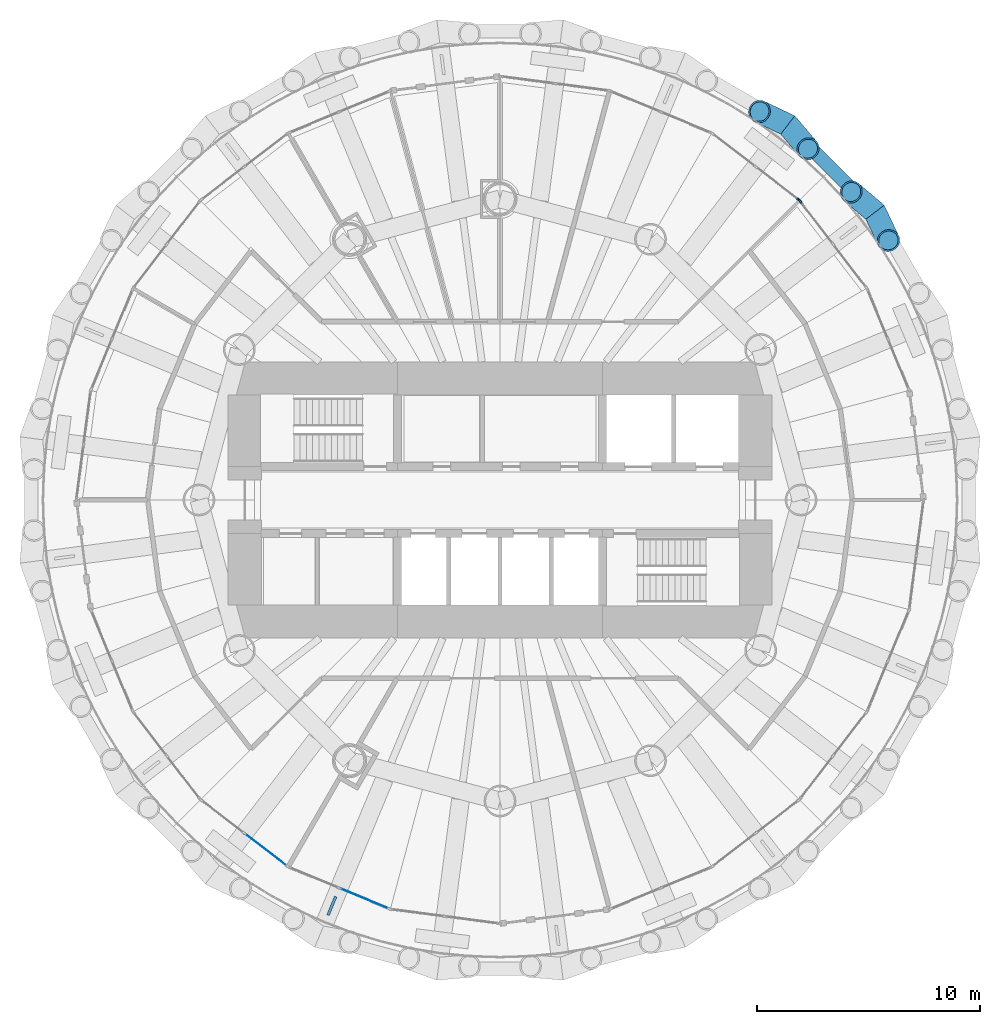
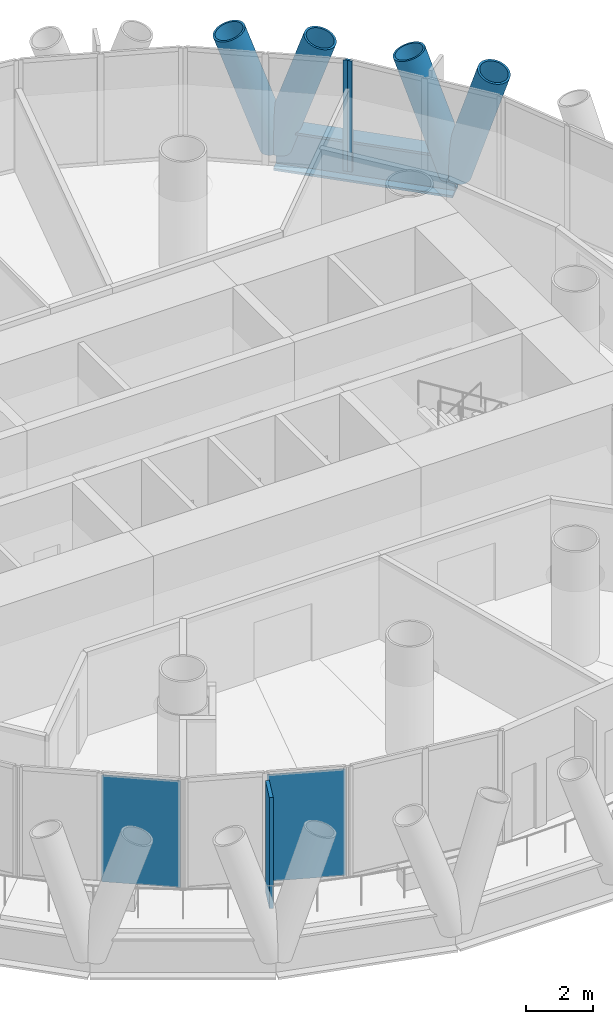
# One storey, part 7 of 16: 6 members, 3 plates, 1 beam, 4 elements without a shape of their own.
"""IFC4 building model written with IfcOpenShell, lengths in metres."""

from ifc_helpers import new_model, si_unit, direction, frame, origin, origin_2d, place, context, subcontext, project, spatial, rectangle, hollow_circle, i_section, extrude, material, layer, layer_set, material_profile, profile_set, type_object, element, aggregate, save


model = new_model("IFC4")

# Units and contexts
model_context = context("Model", 3, precision=1e-05, world=origin(), true_north=direction((0.0, 1.0)))
body_context = subcontext(model_context, "Body", "Model", "MODEL_VIEW")
ifc_project = project(units=[si_unit("LENGTHUNIT", "METRE"), si_unit("AREAUNIT", "SQUARE_METRE"), si_unit("VOLUMEUNIT", "CUBIC_METRE"), si_unit("PLANEANGLEUNIT", "RADIAN"), si_unit("MASSUNIT", "GRAM", prefix="KILO")], contexts=[model_context])

# Site, building, storey
site_placement = place(None, origin())
site = spatial("IfcSite", under=ifc_project, at=site_placement, CompositionType="ELEMENT")
building_placement = place(site_placement, origin())
building = spatial("IfcBuilding", under=site, at=building_placement, Name="Qaws Media Tower", CompositionType="ELEMENT")
storey_placement = place(building_placement, frame((0.0, 0.0, 269.60009765625)))
storey = spatial("IfcBuildingStorey", under=building, at=storey_placement, Name="L62", CompositionType="ELEMENT", Elevation=269.60009765625)

# Curtain wall, member
ifc_material_1 = material(Name="Aluminium and clear glass", Category="aluminium")
curtain_wall_type = type_object("IfcCurtainWallType", Name="Unitised curtain wall CW-D", PredefinedType="NOTDEFINED", material=ifc_material_1)
curtain_wall_1_placement = place(storey_placement, origin())
curtain_wall_1 = element("IfcCurtainWall", 1, at=curtain_wall_1_placement, inside=storey, type_object=curtain_wall_type, Name="CWD curtain wall L62-03", PredefinedType="NOTDEFINED")
ifc_material_2 = material(Name="Aluminium mullion", Category="aluminium")
ifc_material_profile_1 = material_profile(ifc_material_2, rectangle(XDim=0.080078125, YDim=0.199951171875, at=origin_2d()), Name="80x200")
ifc_profile_set_1 = profile_set([ifc_material_profile_1], Name="Aluminium mullion")
member_type_1 = type_object("IfcMemberType", Name="Curtain wall mullion 80x200", PredefinedType="MULLION", material=ifc_profile_set_1)
member_1_placement = place(storey_placement, frame((73.45947265625, 63.4033203125, 0.0), z_axis=(0.0, 0.0, 1.0), x_axis=(-0.793353335436, -0.608761435337, 0.0)))
member_1 = element("IfcMember", 2, at=member_1_placement, type_object=member_type_1, Name="CWD mullion 3", PredefinedType="MULLION", context=body_context, shape_type="SweptSolid", body=[
    extrude(rectangle(XDim=0.080078125, YDim=0.199951171875, at=origin_2d()), origin(), (0.0, 0.0, 1.0), 4.039794921875),
])
aggregate(curtain_wall_1, [member_1])

curtain_wall_2_placement = place(storey_placement, origin())
curtain_wall_2 = element("IfcCurtainWall", 3, at=curtain_wall_2_placement, inside=storey, type_object=curtain_wall_type, Name="CWD curtain wall L62-04", PredefinedType="NOTDEFINED")
member_2_placement = place(storey_placement, frame((73.4033203125, 63.45947265625, 0.0), z_axis=(0.0, 0.0, 1.0), x_axis=(-0.608761435337, -0.793353335436, 0.0)))
member_2 = element("IfcMember", 4, at=member_2_placement, type_object=member_type_1, Name="CWD mullion 1", PredefinedType="MULLION", context=body_context, shape_type="SweptSolid", body=[
    extrude(rectangle(XDim=0.080078125, YDim=0.199951171875, at=origin_2d()), origin(), (0.0, 0.0, 1.0), 4.039794921875),
])
aggregate(curtain_wall_2, [member_2])

# Members
ifc_material_3 = material(Name="Steel S460", Category="steel")
ifc_material_profile_2 = material_profile(ifc_material_3, hollow_circle(Radius=0.508056640625, WallThickness=0.070068359375, at=origin_2d()), Name="CHS 1016x70")
ifc_profile_set_2 = profile_set([ifc_material_profile_2], Name="Steel S460")
member_type_2 = type_object("IfcMemberType", Name="Diagrid member CHS 1016x70", PredefinedType="USERDEFINED", material=ifc_profile_set_2)
for number, where, z_axis, x_axis, name in (
    (5, (76.819091796875, 62.90576171875, -0.91015625), (-0.241238251178, 0.2049560182, 0.948576373716), (-0.647471429686, -0.762089724206, 0.0), "DG3 diagrid L62 A03"),
    (6, (76.819091796875, 62.90576171875, -0.91015625), (0.135534460852, -0.286067039423, 0.948575805551), (0.903702367057, 0.428161221709, 0.0), "DG3 diagrid L62 B03"),
    (7, (72.90576171875, 66.819091796875, -0.91015625), (-0.286067039423, 0.135534460852, 0.948575805551), (-0.428161221709, -0.903702367057, 0.0), "DG3 diagrid L62 A04"),
    (8, (72.90576171875, 66.819091796875, -0.91015625), (0.2049560182, -0.241238251178, 0.948576373716), (0.762089724206, 0.647471429686, 0.0), "DG3 diagrid L62 B04"),
):
    element("IfcMember", number, at=place(storey_placement, frame(where, z_axis=z_axis, x_axis=x_axis)), inside=storey, type_object=member_type_2, Name=name, ObjectType="DIAGRID", PredefinedType="USERDEFINED", context=body_context, shape_type="SweptSolid", body=[
        extrude(hollow_circle(Radius=0.508056640625, WallThickness=0.070068359375, at=origin_2d()), origin(), (0.0, 0.0, 1.0), 4.427734375),
    ])

# Beam
ifc_material_4 = material(Name="Steel S460", Category="steel")
ifc_material_profile_3 = material_profile(ifc_material_4, i_section(OverallWidth=0.60009765625, OverallDepth=1.5, WebThickness=0.030029296875, FlangeThickness=0.080078125, at=origin_2d()), Name="PG 1500x600")
ifc_profile_set_3 = profile_set([ifc_material_profile_3], Name="Steel S460")
beam_type = type_object("IfcBeamType", Name="Edge ring beam PG 1500x600", PredefinedType="BEAM", material=ifc_profile_set_3)
beam_placement = place(storey_placement, frame((76.819091796875, 62.90576171875, -0.91015625), z_axis=(-0.707106781187, 0.707106781187, 0.0), x_axis=(-0.707106781187, -0.707106781187, 0.0)))
element("IfcBeam", 9, at=beam_placement, inside=storey, type_object=beam_type, Name="RB5 edge ring beam L62-03", PredefinedType="BEAM", context=body_context, shape_type="SweptSolid", body=[
    extrude(i_section(OverallWidth=0.60009765625, OverallDepth=1.5, WebThickness=0.030029296875, FlangeThickness=0.080078125, at=origin_2d()), origin(), (0.0, 0.0, 1.0), 5.5341796875),
])

# Curtain wall, plate
curtain_wall_3_placement = place(storey_placement, origin())
curtain_wall_3 = element("IfcCurtainWall", 10, at=curtain_wall_3_placement, inside=storey, type_object=curtain_wall_type, Name="CWD curtain wall L62-16", PredefinedType="NOTDEFINED")
ifc_material_5 = material(Name="Clear laminated double glazing", Category="glass")
ifc_layer_1 = layer(ifc_material_5, 0.031982421875)
ifc_layer_set_1 = layer_set([ifc_layer_1], Name="Curtain wall glass unit 32")
plate_type_1 = type_object("IfcPlateType", Name="Curtain wall glass unit 32", PredefinedType="CURTAIN_PANEL", material=ifc_layer_set_1)
plate_1_placement = place(storey_placement, frame((49.50048828125, 34.3125, 0.080078125), z_axis=(0.0, 0.0, 1.0), x_axis=(0.793353335436, -0.608761435337, 0.0)))
plate_1 = element("IfcPlate", 11, at=plate_1_placement, type_object=plate_type_1, Name="CWD panel 2.1", PredefinedType="CURTAIN_PANEL", context=body_context, shape_type="SweptSolid", body=[
    extrude(rectangle(XDim=2.360107421875, YDim=0.031982421875, at=origin_2d()), origin(), (0.0, 0.0, 1.0), 3.8798828125),
])
aggregate(curtain_wall_3, [plate_1])

curtain_wall_4_placement = place(storey_placement, origin())
curtain_wall_4 = element("IfcCurtainWall", 12, at=curtain_wall_4_placement, inside=storey, type_object=curtain_wall_type, Name="CWD curtain wall L62-17", PredefinedType="NOTDEFINED")
plate_2_placement = place(storey_placement, frame((53.91845703125, 32.129638671875, 0.080078125), z_axis=(0.0, 0.0, 1.0), x_axis=(0.923879530254, -0.382683437815, 0.0)))
plate_2 = element("IfcPlate", 13, at=plate_2_placement, type_object=plate_type_1, Name="CWD panel 2.1", PredefinedType="CURTAIN_PANEL", context=body_context, shape_type="SweptSolid", body=[
    extrude(rectangle(XDim=2.360107421875, YDim=0.031982421875, at=origin_2d()), origin(), (0.0, 0.0, 1.0), 3.8798828125),
])
aggregate(curtain_wall_4, [plate_2])

# Plate
ifc_material_6 = material(Name="Precast concrete screen fin", Category="concrete")
ifc_layer_2 = layer(ifc_material_6, 0.1201171875)
ifc_layer_set_2 = layer_set([ifc_layer_2], Name="Screen fin 120x900")
plate_type_2 = type_object("IfcPlateType", Name="Screen fin 120x900", PredefinedType="USERDEFINED", material=ifc_layer_set_2)
plate_3_placement = place(storey_placement, frame((52.461181640625, 31.799560546875, 0.0), z_axis=(0.0, 0.0, 1.0), x_axis=(-0.382683432365, -0.923879532511, 0.0)))
element("IfcPlate", 14, at=plate_3_placement, inside=storey, type_object=plate_type_2, Name="SCR1 screen fin L62-09", ObjectType="SCREEN", PredefinedType="USERDEFINED", context=body_context, shape_type="SweptSolid", body=[
    extrude(rectangle(XDim=0.89990234375, YDim=0.1201171875, at=origin_2d()), origin(), (0.0, 0.0, 1.0), 4.0400390625),
])

save(model, "model.ifc")
